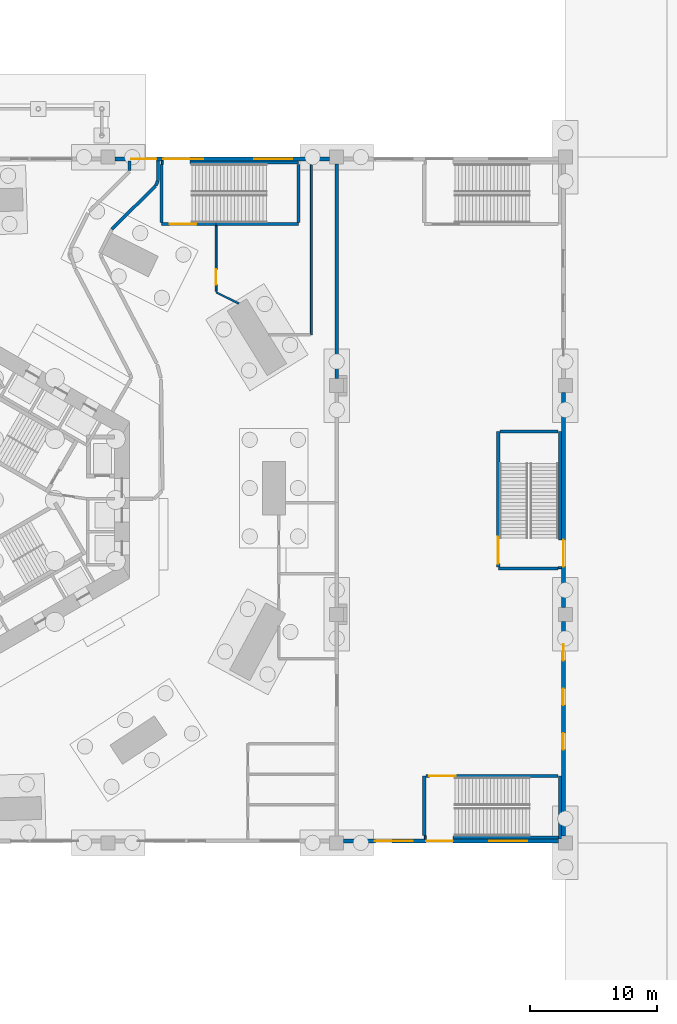
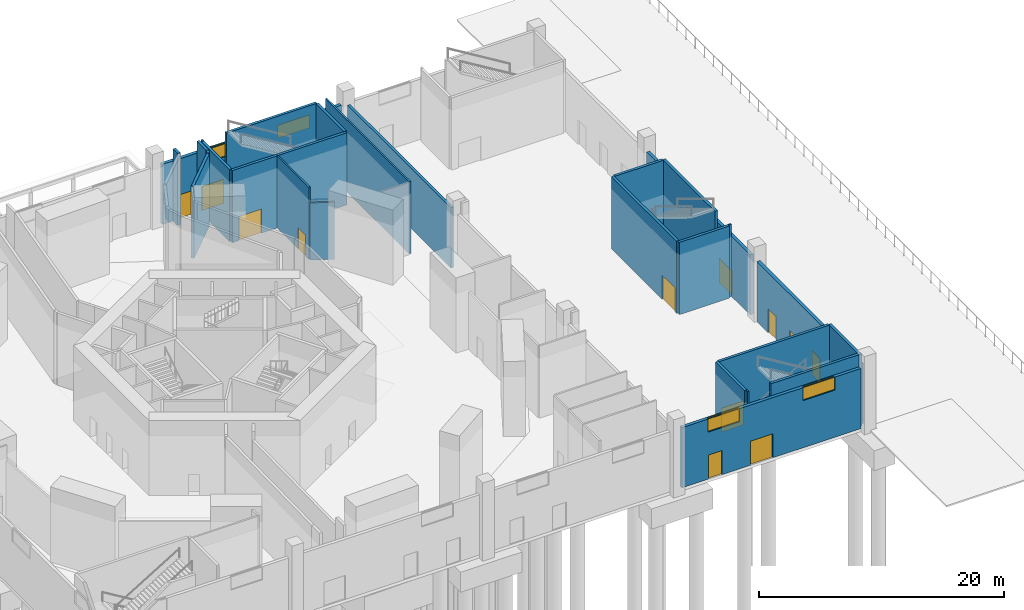
# One storey, part 10 of 16: 28 walls, 12 doors, 4 windows, 16 openings.
"""IFC4 building model written with IfcOpenShell, lengths in metres."""

from ifc_helpers import new_model, si_unit, direction, frame, frame_2d, origin, place, context, subcontext, project, spatial, rectangle, extrude, material, layer, layer_set, type_object, element, fill, save


model = new_model("IFC4")

# Units and contexts
model_context = context("Model", 3, precision=1e-05, world=origin(), true_north=direction((0.0, 1.0)))
body_context = subcontext(model_context, "Body", "Model", "MODEL_VIEW")
ifc_project = project(units=[si_unit("LENGTHUNIT", "METRE"), si_unit("AREAUNIT", "SQUARE_METRE"), si_unit("VOLUMEUNIT", "CUBIC_METRE"), si_unit("PLANEANGLEUNIT", "RADIAN"), si_unit("MASSUNIT", "GRAM", prefix="KILO")], contexts=[model_context])

# Site, building, storey
site_placement = place(None, origin())
site = spatial("IfcSite", under=ifc_project, at=site_placement, CompositionType="ELEMENT")
building_placement = place(site_placement, origin())
building = spatial("IfcBuilding", under=site, at=building_placement, Name="Vanh Sen Convention Tower", CompositionType="ELEMENT")
storey_placement = place(building_placement, origin())
storey = spatial("IfcBuildingStorey", under=building, at=storey_placement, Name="L00", CompositionType="ELEMENT", Elevation=0.0)

# Walls
ifc_material_1 = material(Name="Concrete C40/50", Category="concrete")
ifc_layer_1 = layer(ifc_material_1, 0.25)
ifc_layer_set_1 = layer_set([ifc_layer_1], Name="Concrete C40/50")
wall_type_1 = type_object("IfcWallType", Name="Concrete wall 250 EI 180", PredefinedType="SOLIDWALL", material=ifc_layer_set_1)
wall_1_placement = place(storey_placement, frame((27.0, 9.550048828125, 0.0), z_axis=(0.0, 0.0, 1.0), x_axis=(0.0, 1.0, 0.0)))
element("IfcWall", 1, at=wall_1_placement, inside=storey, type_object=wall_type_1, Name="Fire-resisting wall L00-053", PredefinedType="SOLIDWALL", context=body_context, shape_type="SweptSolid", body=[
    extrude(rectangle(XDim=16.89990234375, YDim=0.25, at=frame_2d((8.449951171875, 0.0))), origin(), (0.0, 0.0, 1.0), 6.0),
])
ifc_layer_2 = layer(ifc_material_1, 0.25)
ifc_layer_set_2 = layer_set([ifc_layer_2], Name="Concrete C40/50")
wall_type_2 = type_object("IfcWallType", Name="Concrete wall 250 REI 180", PredefinedType="SOLIDWALL", material=ifc_layer_set_2)
wall_2_placement = place(storey_placement, frame((33.89990234375, -26.43994140625, 0.0), z_axis=(0.0, 0.0, 1.0), x_axis=(0.0, 1.0, 0.0)))
element("IfcWall", 2, at=wall_2_placement, inside=storey, type_object=wall_type_2, Name="Fire-resisting wall L00-004", PredefinedType="SOLIDWALL", context=body_context, shape_type="SweptSolid", body=[
    extrude(rectangle(XDim=4.71484375, YDim=0.25, at=frame_2d((2.357421875, 0.0))), origin(), (0.0, 0.0, 1.0), 7.199951171875),
])

# Wall, opening, door
wall_3_placement = place(storey_placement, frame((34.0400390625, -21.72509765625, 0.0), z_axis=(0.0, 0.0, 1.0), x_axis=(1.0, 0.0, 0.0)))
wall_3 = element("IfcWall", 3, at=wall_3_placement, inside=storey, type_object=wall_type_2, Name="Fire-resisting wall L00-014", PredefinedType="SOLIDWALL", context=body_context, shape_type="SweptSolid", body=[
    extrude(rectangle(XDim=10.39990234375, YDim=0.25, at=frame_2d((5.199951171875, 0.0))), origin(), (0.0, 0.0, 1.0), 7.199951171875),
])
opening_1_placement = place(wall_3_placement, frame((0.25, 0.0, 0.0)))
opening_1 = element("IfcOpeningElement", 4, at=opening_1_placement, cuts=wall_3, Name="Opening D00104", PredefinedType="OPENING", context=body_context, shape_type="SweptSolid", body=[
    extrude(rectangle(XDim=2.10009765625, YDim=2.39990234375, at=frame_2d((1.050048828125, 1.199951171875))), frame((0.0, 0.135009765625, 0.0), z_axis=(0.0, -1.0, 0.0), x_axis=(1.0, 0.0, 0.0)), (0.0, 0.0, 1.0), 0.27001953125),
])
ifc_material_2 = material(Name="Steel S355", Category="steel")
door_type_1 = type_object("IfcDoorType", Name="Stair door 2100 EI 60", OperationType="DOUBLE_DOOR_SINGLE_SWING", PredefinedType="DOOR", material=ifc_material_2)
door_1_placement = place(opening_1_placement, frame((2.10009765625, 0.0, 0.0), z_axis=(0.0, 0.0, 1.0), x_axis=(-1.0, 0.0, 0.0)))
door_1 = element("IfcDoor", 5, at=door_1_placement, inside=storey, type_object=door_type_1, Name="Stair door D00104", OperationType="DOUBLE_DOOR_SINGLE_SWING", OverallHeight=2.39990234375, OverallWidth=2.10009765625, PredefinedType="DOOR", context=body_context, shape_type="SweptSolid", body=[
    extrude(rectangle(XDim=2.10009765625, YDim=2.39990234375, at=frame_2d((1.050048828125, 1.199951171875))), frame((0.0, 0.02490234375, 0.0), z_axis=(0.0, -1.0, 0.0), x_axis=(1.0, 0.0, 0.0)), (0.0, 0.0, 1.0), 0.050048828125),
])
fill(opening_1, door_1)

# Wall
wall_4_placement = place(storey_placement, frame((44.43994140625, -5.39990234375, 0.0), z_axis=(0.0, 0.0, 1.0), x_axis=(-1.0, 0.0, 0.0)))
element("IfcWall", 6, at=wall_4_placement, inside=storey, type_object=wall_type_2, Name="Fire-resisting wall L00-037", PredefinedType="SOLIDWALL", context=body_context, shape_type="SweptSolid", body=[
    extrude(rectangle(XDim=4.71484375, YDim=0.25, at=frame_2d((2.357421875, 0.0))), origin(), (0.0, 0.0, 1.0), 7.199951171875),
])

# Wall, opening, door
wall_5_placement = place(storey_placement, frame((39.72509765625, -5.260009765625, 0.0), z_axis=(0.0, 0.0, 1.0), x_axis=(0.0, 1.0, 0.0)))
wall_5 = element("IfcWall", 7, at=wall_5_placement, inside=storey, type_object=wall_type_2, Name="Fire-resisting wall L00-038", PredefinedType="SOLIDWALL", context=body_context, shape_type="SweptSolid", body=[
    extrude(rectangle(XDim=10.659912109375, YDim=0.25, at=frame_2d((5.330078125, 0.0))), origin(), (0.0, 0.0, 1.0), 7.199951171875),
])
opening_2_placement = place(wall_5_placement, frame((0.25, 0.0, 0.0)))
opening_2 = element("IfcOpeningElement", 8, at=opening_2_placement, cuts=wall_5, Name="Opening D00110", PredefinedType="OPENING", context=body_context, shape_type="SweptSolid", body=[
    extrude(rectangle(XDim=2.10009765625, YDim=2.39990234375, at=frame_2d((1.050048828125, 1.199951171875))), frame((0.0, 0.135009765625, 0.0), z_axis=(0.0, -1.0, 0.0), x_axis=(1.0, 0.0, 0.0)), (0.0, 0.0, 1.0), 0.27001953125),
])
door_2_placement = place(opening_2_placement, frame((2.10009765625, 0.0, 0.0), z_axis=(0.0, 0.0, 1.0), x_axis=(-1.0, 0.0, 0.0)))
door_2 = element("IfcDoor", 9, at=door_2_placement, inside=storey, type_object=door_type_1, Name="Stair door D00110", OperationType="DOUBLE_DOOR_SINGLE_SWING", OverallHeight=2.39990234375, OverallWidth=2.10009765625, PredefinedType="DOOR", context=body_context, shape_type="SweptSolid", body=[
    extrude(rectangle(XDim=2.10009765625, YDim=2.39990234375, at=frame_2d((1.050048828125, 1.199951171875))), frame((0.0, 0.02490234375, 0.0), z_axis=(0.0, -1.0, 0.0), x_axis=(1.0, 0.0, 0.0)), (0.0, 0.0, 1.0), 0.050048828125),
])
fill(opening_2, door_2)

# Wall
wall_6_placement = place(storey_placement, frame((39.864990234375, 5.39990234375, 0.0), z_axis=(0.0, 0.0, 1.0), x_axis=(1.0, 0.0, 0.0)))
element("IfcWall", 10, at=wall_6_placement, inside=storey, type_object=wall_type_2, Name="Fire-resisting wall L00-046", PredefinedType="SOLIDWALL", context=body_context, shape_type="SweptSolid", body=[
    extrude(rectangle(XDim=4.574951171875, YDim=0.25, at=frame_2d((2.28759765625, 0.0))), origin(), (0.0, 0.0, 1.0), 7.199951171875),
])

# Wall, opening, door
wall_7_placement = place(storey_placement, frame((17.5, 21.72509765625, 0.0), z_axis=(0.0, 0.0, 1.0), x_axis=(-1.0, 0.0, 0.0)))
wall_7 = element("IfcWall", 11, at=wall_7_placement, inside=storey, type_object=wall_type_2, Name="Fire-resisting wall L00-073", PredefinedType="SOLIDWALL", context=body_context, shape_type="SweptSolid", body=[
    extrude(rectangle(XDim=4.300048828125, YDim=0.25, at=frame_2d((2.14990234375, 0.0))), origin(), (0.0, 0.0, 1.0), 7.199951171875),
])
opening_3_placement = place(wall_7_placement, frame((1.550048828125, 0.0, 0.0)))
opening_3 = element("IfcOpeningElement", 12, at=opening_3_placement, cuts=wall_7, Name="Opening D00114", PredefinedType="OPENING", context=body_context, shape_type="SweptSolid", body=[
    extrude(rectangle(XDim=2.10009765625, YDim=2.39990234375, at=frame_2d((1.050048828125, 1.199951171875))), frame((0.0, 0.135009765625, 0.0), z_axis=(0.0, -1.0, 0.0), x_axis=(1.0, 0.0, 0.0)), (0.0, 0.0, 1.0), 0.27001953125),
])
door_3_placement = place(opening_3_placement, frame((2.10009765625, 0.0, 0.0), z_axis=(0.0, 0.0, 1.0), x_axis=(-1.0, 0.0, 0.0)))
door_3 = element("IfcDoor", 13, at=door_3_placement, inside=storey, type_object=door_type_1, Name="Stair door D00114", OperationType="DOUBLE_DOOR_SINGLE_SWING", OverallHeight=2.39990234375, OverallWidth=2.10009765625, PredefinedType="DOOR", context=body_context, shape_type="SweptSolid", body=[
    extrude(rectangle(XDim=2.10009765625, YDim=2.39990234375, at=frame_2d((1.050048828125, 1.199951171875))), frame((0.0, 0.02490234375, 0.0), z_axis=(0.0, -1.0, 0.0), x_axis=(1.0, 0.0, 0.0)), (0.0, 0.0, 1.0), 0.050048828125),
])
fill(opening_3, door_3)

# Walls
wall_8_placement = place(storey_placement, frame((24.0, 21.72509765625, 0.0), z_axis=(0.0, 0.0, 1.0), x_axis=(-1.0, 0.0, 0.0)))
element("IfcWall", 14, at=wall_8_placement, inside=storey, type_object=wall_type_2, Name="Fire-resisting wall L00-074", PredefinedType="SOLIDWALL", context=body_context, shape_type="SweptSolid", body=[
    extrude(rectangle(XDim=6.5, YDim=0.25, at=frame_2d((3.25, 0.0))), origin(), (0.0, 0.0, 1.0), 7.199951171875),
])
wall_9_placement = place(storey_placement, frame((13.199951171875, 21.864990234375, 0.0), z_axis=(0.0, 0.0, 1.0), x_axis=(0.0, 1.0, 0.0)))
element("IfcWall", 15, at=wall_9_placement, inside=storey, type_object=wall_type_2, Name="Fire-resisting wall L00-078", PredefinedType="SOLIDWALL", context=body_context, shape_type="SweptSolid", body=[
    extrude(rectangle(XDim=4.574951171875, YDim=0.25, at=frame_2d((2.28759765625, 0.0))), origin(), (0.0, 0.0, 1.0), 7.199951171875),
])
wall_10_placement = place(storey_placement, frame((12.72412109375, 24.732421875, 0.0), z_axis=(0.0, 0.0, 1.0), x_axis=(-0.709356161032, -0.70485022296, 0.0)))
element("IfcWall", 16, at=wall_10_placement, inside=storey, type_object=wall_type_2, Name="Fire-resisting wall L00-081", PredefinedType="SOLIDWALL", context=body_context, shape_type="SweptSolid", body=[
    extrude(rectangle(XDim=4.822265625, YDim=0.25, at=frame_2d((2.4111328125, 0.0))), origin(), (0.0, 0.0, 1.0), 7.199951171875),
])
wall_11_placement = place(storey_placement, frame((12.90966796875, 25.138671875, 0.0), z_axis=(0.0, 0.0, 1.0), x_axis=(-0.383895701408, -0.923376461927, 0.0)))
element("IfcWall", 17, at=wall_11_placement, inside=storey, type_object=wall_type_2, Name="Fire-resisting wall L00-082", PredefinedType="SOLIDWALL", context=body_context, shape_type="SweptSolid", body=[
    extrude(rectangle(XDim=0.40966796875, YDim=0.25, at=frame_2d((0.204833984375, 0.0))), origin(), (0.0, 0.0, 1.0), 7.199951171875),
])
wall_12_placement = place(storey_placement, frame((10.675048828125, 25.947998046875, 0.0), z_axis=(0.0, 0.0, 1.0), x_axis=(0.0, 1.0, 0.0)))
element("IfcWall", 18, at=wall_12_placement, inside=storey, type_object=wall_type_2, Name="Fire-resisting wall L00-085", PredefinedType="SOLIDWALL", context=body_context, shape_type="SweptSolid", body=[
    extrude(rectangle(XDim=0.751953125, YDim=0.25, at=frame_2d((0.3759765625, 0.0))), origin(), (0.0, 0.0, 1.0), 7.199951171875),
])
wall_13_placement = place(storey_placement, frame((24.0, 26.43994140625, 0.0), z_axis=(0.0, 0.0, 1.0), x_axis=(0.0, -1.0, 0.0)))
element("IfcWall", 19, at=wall_13_placement, inside=storey, type_object=wall_type_2, Name="Fire-resisting wall L00-087", PredefinedType="SOLIDWALL", context=body_context, shape_type="SweptSolid", body=[
    extrude(rectangle(XDim=4.574951171875, YDim=0.25, at=frame_2d((2.28759765625, 0.0))), origin(), (0.0, 0.0, 1.0), 7.199951171875),
])
wall_14_placement = place(storey_placement, frame((12.925048828125, 26.699951171875, 0.0), z_axis=(0.0, 0.0, 1.0), x_axis=(0.0, -1.0, 0.0)))
element("IfcWall", 20, at=wall_14_placement, inside=storey, type_object=wall_type_2, Name="Fire-resisting wall L00-089", PredefinedType="SOLIDWALL", context=body_context, shape_type="SweptSolid", body=[
    extrude(rectangle(XDim=1.5244140625, YDim=0.25, at=frame_2d((0.76220703125, 0.0))), origin(), (0.0, 0.0, 1.0), 7.199951171875),
])
wall_15_placement = place(storey_placement, frame((44.574951171875, -21.72509765625, 0.0), z_axis=(0.0, 0.0, 1.0), x_axis=(0.0, -1.0, 0.0)))
element("IfcWall", 21, at=wall_15_placement, inside=storey, type_object=wall_type_2, Name="Stair enclosure wall PS2 L00", PredefinedType="SOLIDWALL", context=body_context, shape_type="SweptSolid", body=[
    extrude(rectangle(XDim=4.974853515625, YDim=0.25, at=frame_2d((2.4873046875, 0.0))), origin(), (0.0, 0.0, 1.0), 7.199951171875),
])
wall_16_placement = place(storey_placement, frame((44.449951171875, -26.574951171875, 0.0), z_axis=(0.0, 0.0, 1.0), x_axis=(-1.0, 0.0, 0.0)))
element("IfcWall", 22, at=wall_16_placement, inside=storey, type_object=wall_type_2, Name="Stair enclosure wall PS2 L00", PredefinedType="SOLIDWALL", context=body_context, shape_type="SweptSolid", body=[
    extrude(rectangle(XDim=8.300048828125, YDim=0.25, at=frame_2d((4.14990234375, 0.0))), origin(), (0.0, 0.0, 1.0), 7.199951171875),
])
wall_17_placement = place(storey_placement, frame((34.050048828125, -26.574951171875, 0.0), z_axis=(0.0, 0.0, 1.0), x_axis=(-1.0, 0.0, 0.0)))
element("IfcWall", 23, at=wall_17_placement, inside=storey, type_object=wall_type_2, Name="Stair enclosure wall PS2 L00", PredefinedType="SOLIDWALL", context=body_context, shape_type="SweptSolid", body=[
    extrude(rectangle(XDim=0.150146484375, YDim=0.25, at=frame_2d((0.0751953125, 0.0))), origin(), (0.0, 0.0, 1.0), 7.199951171875),
])
wall_18_placement = place(storey_placement, frame((44.574951171875, 5.39990234375, 0.0), z_axis=(0.0, 0.0, 1.0), x_axis=(0.0, -1.0, 0.0)))
element("IfcWall", 24, at=wall_18_placement, inside=storey, type_object=wall_type_2, Name="Stair enclosure wall PS3 L00", PredefinedType="SOLIDWALL", context=body_context, shape_type="SweptSolid", body=[
    extrude(rectangle(XDim=8.5498046875, YDim=0.25, at=frame_2d((4.27490234375, 0.0))), origin(), (0.0, 0.0, 1.0), 7.199951171875),
])
wall_19_placement = place(storey_placement, frame((44.574951171875, -5.25, 0.0), z_axis=(0.0, 0.0, 1.0), x_axis=(0.0, -1.0, 0.0)))
element("IfcWall", 25, at=wall_19_placement, inside=storey, type_object=wall_type_2, Name="Stair enclosure wall PS3 L00", PredefinedType="SOLIDWALL", context=body_context, shape_type="SweptSolid", body=[
    extrude(rectangle(XDim=0.14990234375, YDim=0.25, at=frame_2d((0.074951171875, 0.0))), origin(), (0.0, 0.0, 1.0), 7.199951171875),
])
wall_20_placement = place(storey_placement, frame((24.0, 26.574951171875, 0.0), z_axis=(0.0, 0.0, 1.0), x_axis=(-1.0, 0.0, 0.0)))
element("IfcWall", 26, at=wall_20_placement, inside=storey, type_object=wall_type_2, Name="Stair enclosure wall PS4 L00", PredefinedType="SOLIDWALL", context=body_context, shape_type="SweptSolid", body=[
    extrude(rectangle(XDim=8.550048828125, YDim=0.25, at=frame_2d((4.27490234375, 0.0))), origin(), (0.0, 0.0, 1.0), 7.199951171875),
])
wall_21_placement = place(storey_placement, frame((13.35009765625, 26.574951171875, 0.0), z_axis=(0.0, 0.0, 1.0), x_axis=(-1.0, 0.0, 0.0)))
element("IfcWall", 27, at=wall_21_placement, inside=storey, type_object=wall_type_2, Name="Stair enclosure wall PS4 L00", PredefinedType="SOLIDWALL", context=body_context, shape_type="SweptSolid", body=[
    extrude(rectangle(XDim=0.150146484375, YDim=0.25, at=frame_2d((0.0751953125, 0.0))), origin(), (0.0, 0.0, 1.0), 7.199951171875),
])

# Wall, openings, doors
ifc_material_3 = material(Name="Aluminium-framed structural glazing with clear glass", Category="aluminium")
ifc_layer_3 = layer(ifc_material_3, 0.300048828125)
ifc_layer_set_3 = layer_set([ifc_layer_3], Name="Aluminium-framed structural glazing with clear glass")
wall_type_3 = type_object("IfcWallType", Name="Entrance glazed wall 300", PredefinedType="STANDARD", material=ifc_layer_set_3)
wall_22_placement = place(storey_placement, frame((44.85009765625, -26.449951171875, 0.0), z_axis=(0.0, 0.0, 1.0), x_axis=(0.0, 1.0, 0.0)))
wall_22 = element("IfcWall", 28, at=wall_22_placement, inside=storey, type_object=wall_type_3, Name="Podium wall E1 L00", PredefinedType="STANDARD", context=body_context, shape_type="SweptSolid", body=[
    extrude(rectangle(XDim=16.89990234375, YDim=0.300048828125, at=frame_2d((8.449951171875, 0.0))), origin(), (0.0, 0.0, 1.0), 6.0),
])
opening_4_placement = place(wall_22_placement, frame((13.800048828125, 0.0, 0.0)))
opening_4 = element("IfcOpeningElement", 29, at=opening_4_placement, cuts=wall_22, Name="Opening EX04", PredefinedType="OPENING", context=body_context, shape_type="SweptSolid", body=[
    extrude(rectangle(XDim=1.300048828125, YDim=2.39990234375, at=frame_2d((0.64990234375, 1.199951171875))), frame((0.0, 0.159912109375, 0.0), z_axis=(0.0, -1.0, 0.0), x_axis=(1.0, 0.0, 0.0)), (0.0, 0.0, 1.0), 0.320068359375),
])
opening_5_placement = place(wall_22_placement, frame((10.300048828125, 0.0, 0.0)))
opening_5 = element("IfcOpeningElement", 30, at=opening_5_placement, cuts=wall_22, Name="Opening EX05", PredefinedType="OPENING", context=body_context, shape_type="SweptSolid", body=[
    extrude(rectangle(XDim=1.300048828125, YDim=2.39990234375, at=frame_2d((0.64990234375, 1.199951171875))), frame((0.0, 0.159912109375, 0.0), z_axis=(0.0, -1.0, 0.0), x_axis=(1.0, 0.0, 0.0)), (0.0, 0.0, 1.0), 0.320068359375),
])
opening_6_placement = place(wall_22_placement, frame((6.800048828125, 0.0, 0.0)))
opening_6 = element("IfcOpeningElement", 31, at=opening_6_placement, cuts=wall_22, Name="Opening EX06", PredefinedType="OPENING", context=body_context, shape_type="SweptSolid", body=[
    extrude(rectangle(XDim=1.300048828125, YDim=2.39990234375, at=frame_2d((0.64990234375, 1.199951171875))), frame((0.0, 0.159912109375, 0.0), z_axis=(0.0, -1.0, 0.0), x_axis=(1.0, 0.0, 0.0)), (0.0, 0.0, 1.0), 0.320068359375),
])
ifc_material_4 = material(Name="Aluminium and glass entrance door", Category="aluminium")
door_type_2 = type_object("IfcDoorType", Name="Entrance door 1300", OperationType="SINGLE_SWING_LEFT", PredefinedType="DOOR", material=ifc_material_4)
door_4_placement = place(opening_4_placement, frame((1.300048828125, 0.0, 0.0), z_axis=(0.0, 0.0, 1.0), x_axis=(-1.0, 0.0, 0.0)))
door_4 = element("IfcDoor", 32, at=door_4_placement, inside=storey, type_object=door_type_2, Name="Entrance door EX04", OperationType="SINGLE_SWING_RIGHT", OverallHeight=2.39990234375, OverallWidth=1.300048828125, PredefinedType="DOOR", context=body_context, shape_type="SweptSolid", body=[
    extrude(rectangle(XDim=1.300048828125, YDim=2.39990234375, at=frame_2d((0.64990234375, 1.199951171875))), frame((0.0, 0.02490234375, 0.0), z_axis=(0.0, -1.0, 0.0), x_axis=(1.0, 0.0, 0.0)), (0.0, 0.0, 1.0), 0.050048828125),
])
fill(opening_4, door_4)
door_5_placement = place(opening_5_placement, frame((1.300048828125, 0.0, 0.0), z_axis=(0.0, 0.0, 1.0), x_axis=(-1.0, 0.0, 0.0)))
door_5 = element("IfcDoor", 33, at=door_5_placement, inside=storey, type_object=door_type_2, Name="Entrance door EX05", OperationType="SINGLE_SWING_RIGHT", OverallHeight=2.39990234375, OverallWidth=1.300048828125, PredefinedType="DOOR", context=body_context, shape_type="SweptSolid", body=[
    extrude(rectangle(XDim=1.300048828125, YDim=2.39990234375, at=frame_2d((0.64990234375, 1.199951171875))), frame((0.0, 0.02490234375, 0.0), z_axis=(0.0, -1.0, 0.0), x_axis=(1.0, 0.0, 0.0)), (0.0, 0.0, 1.0), 0.050048828125),
])
fill(opening_5, door_5)
door_6_placement = place(opening_6_placement, frame((1.300048828125, 0.0, 0.0), z_axis=(0.0, 0.0, 1.0), x_axis=(-1.0, 0.0, 0.0)))
door_6 = element("IfcDoor", 34, at=door_6_placement, inside=storey, type_object=door_type_2, Name="Entrance door EX06", OperationType="SINGLE_SWING_RIGHT", OverallHeight=2.39990234375, OverallWidth=1.300048828125, PredefinedType="DOOR", context=body_context, shape_type="SweptSolid", body=[
    extrude(rectangle(XDim=1.300048828125, YDim=2.39990234375, at=frame_2d((0.64990234375, 1.199951171875))), frame((0.0, 0.02490234375, 0.0), z_axis=(0.0, -1.0, 0.0), x_axis=(1.0, 0.0, 0.0)), (0.0, 0.0, 1.0), 0.050048828125),
])
fill(opening_6, door_6)

# Wall, opening, door
wall_23_placement = place(storey_placement, frame((44.85009765625, -8.449951171875, 0.0), z_axis=(0.0, 0.0, 1.0), x_axis=(0.0, 1.0, 0.0)))
wall_23 = element("IfcWall", 35, at=wall_23_placement, inside=storey, type_object=wall_type_3, Name="Podium wall E2 L00", PredefinedType="STANDARD", context=body_context, shape_type="SweptSolid", body=[
    extrude(rectangle(XDim=16.89990234375, YDim=0.300048828125, at=frame_2d((8.449951171875, 0.0))), origin(), (0.0, 0.0, 1.0), 6.0),
])
opening_7_placement = place(wall_23_placement, frame((3.199951171875, 0.0, 0.0)))
opening_7 = element("IfcOpeningElement", 36, at=opening_7_placement, cuts=wall_23, Name="Opening PD3", PredefinedType="OPENING", context=body_context, shape_type="SweptSolid", body=[
    extrude(rectangle(XDim=2.10009765625, YDim=2.39990234375, at=frame_2d((1.050048828125, 1.199951171875))), frame((0.0, 0.159912109375, 0.0), z_axis=(0.0, -1.0, 0.0), x_axis=(1.0, 0.0, 0.0)), (0.0, 0.0, 1.0), 0.320068359375),
])
door_type_3 = type_object("IfcDoorType", Name="Entrance door 2100", OperationType="DOUBLE_DOOR_SINGLE_SWING", PredefinedType="DOOR", material=ifc_material_4)
door_7_placement = place(opening_7_placement, frame((2.10009765625, 0.0, 0.0), z_axis=(0.0, 0.0, 1.0), x_axis=(-1.0, 0.0, 0.0)))
door_7 = element("IfcDoor", 37, at=door_7_placement, inside=storey, type_object=door_type_3, Name="Entrance door PD3", OperationType="DOUBLE_DOOR_SINGLE_SWING", OverallHeight=2.39990234375, OverallWidth=2.10009765625, PredefinedType="DOOR", context=body_context, shape_type="SweptSolid", body=[
    extrude(rectangle(XDim=2.10009765625, YDim=2.39990234375, at=frame_2d((1.050048828125, 1.199951171875))), frame((0.0, 0.02490234375, 0.0), z_axis=(0.0, -1.0, 0.0), x_axis=(1.0, 0.0, 0.0)), (0.0, 0.0, 1.0), 0.050048828125),
])
fill(opening_7, door_7)

# Wall
ifc_material_5 = material(Name="Gypsum board on steel studs", Category="steel")
ifc_layer_4 = layer(ifc_material_5, 0.14990234375)
ifc_layer_set_4 = layer_set([ifc_layer_4], Name="Gypsum board on steel studs")
wall_type_4 = type_object("IfcWallType", Name="Partition 150 EI 60", PredefinedType="PARTITIONING", material=ifc_layer_set_4)
wall_24_placement = place(storey_placement, frame((19.292724609375, 15.466796875, 0.0), z_axis=(0.0, 0.0, 1.0), x_axis=(-0.894938486027, 0.446189540698, 0.0)))
element("IfcWall", 38, at=wall_24_placement, inside=storey, type_object=wall_type_4, Name="Partition L00-063", PredefinedType="PARTITIONING", context=body_context, shape_type="SweptSolid", body=[
    extrude(rectangle(XDim=2.003173828125, YDim=0.14990234375, at=frame_2d((1.00146484375, 0.0))), origin(), (0.0, 0.0, 1.0), 5.699951171875),
])

# Wall, opening, door
wall_25_placement = place(storey_placement, frame((17.5, 16.42041015625, 0.0), z_axis=(0.0, 0.0, 1.0), x_axis=(0.0, 1.0, 0.0)))
wall_25 = element("IfcWall", 39, at=wall_25_placement, inside=storey, type_object=wall_type_4, Name="Partition L00-064", PredefinedType="PARTITIONING", context=body_context, shape_type="SweptSolid", body=[
    extrude(rectangle(XDim=5.16455078125, YDim=0.14990234375, at=frame_2d((2.582275390625, 0.0))), origin(), (0.0, 0.0, 1.0), 7.199951171875),
])
opening_8_placement = place(wall_25_placement, frame((0.550048828125, 0.0, 0.0)))
opening_8 = element("IfcOpeningElement", 40, at=opening_8_placement, cuts=wall_25, Name="Opening D00112", PredefinedType="OPENING", context=body_context, shape_type="SweptSolid", body=[
    extrude(rectangle(XDim=1.199951171875, YDim=2.10009765625, at=frame_2d((0.60009765625, 1.050048828125))), frame((0.0, 0.0849609375, 0.0), z_axis=(0.0, -1.0, 0.0), x_axis=(1.0, 0.0, 0.0)), (0.0, 0.0, 1.0), 0.169921875),
])
ifc_material_6 = material(Name="Timber door in steel frame", Category="steel")
door_type_4 = type_object("IfcDoorType", Name="Room door 1200 EI 30", OperationType="SINGLE_SWING_LEFT", PredefinedType="DOOR", material=ifc_material_6)
door_8_placement = place(opening_8_placement, origin())
door_8 = element("IfcDoor", 41, at=door_8_placement, inside=storey, type_object=door_type_4, Name="Room door D00112", OperationType="SINGLE_SWING_LEFT", OverallHeight=2.10009765625, OverallWidth=1.199951171875, PredefinedType="DOOR", context=body_context, shape_type="SweptSolid", body=[
    extrude(rectangle(XDim=1.199951171875, YDim=2.10009765625, at=frame_2d((0.60009765625, 1.050048828125))), frame((0.0, 0.02490234375, 0.0), z_axis=(0.0, -1.0, 0.0), x_axis=(1.0, 0.0, 0.0)), (0.0, 0.0, 1.0), 0.050048828125),
])
fill(opening_8, door_8)

# Wall
wall_26_placement = place(storey_placement, frame((25.0, 26.699951171875, 0.0), z_axis=(0.0, 0.0, 1.0), x_axis=(0.0, -1.0, 0.0)))
element("IfcWall", 42, at=wall_26_placement, inside=storey, type_object=wall_type_4, Name="Partition L00-090", PredefinedType="PARTITIONING", context=body_context, shape_type="SweptSolid", body=[
    extrude(rectangle(XDim=13.699951171875, YDim=0.14990234375, at=frame_2d((6.85009765625, 0.0))), origin(), (0.0, 0.0, 1.0), 7.199951171875),
])

# Wall, openings, doors, windows
ifc_material_7 = material(Name="Concrete C50/60", Category="concrete")
ifc_layer_5 = layer(ifc_material_7, 0.300048828125)
ifc_layer_set_5 = layer_set([ifc_layer_5], Name="Concrete C50/60")
wall_type_5 = type_object("IfcWallType", Name="Podium wall 300", PredefinedType="STANDARD", material=ifc_layer_set_5)
wall_27_placement = place(storey_placement, frame((27.550048828125, -26.85009765625, 0.0), z_axis=(0.0, 0.0, 1.0), x_axis=(1.0, 0.0, 0.0)))
wall_27 = element("IfcWall", 43, at=wall_27_placement, inside=storey, type_object=wall_type_5, Name="Podium wall S4 L00", PredefinedType="STANDARD", context=body_context, shape_type="SweptSolid", body=[
    extrude(rectangle(XDim=16.89990234375, YDim=0.300048828125, at=frame_2d((8.449951171875, 0.0))), origin(), (0.0, 0.0, 1.0), 6.0),
])
opening_9_placement = place(wall_27_placement, frame((2.449951171875, 0.0, 4.699951171875)))
opening_9 = element("IfcOpeningElement", 44, at=opening_9_placement, cuts=wall_27, Name="Opening WP1-S7", PredefinedType="OPENING", context=body_context, shape_type="SweptSolid", body=[
    extrude(rectangle(XDim=3.0, YDim=1.300048828125, at=frame_2d((1.5, 0.64990234375))), frame((0.0, 0.159912109375, 0.0), z_axis=(0.0, -1.0, 0.0), x_axis=(1.0, 0.0, 0.0)), (0.0, 0.0, 1.0), 0.320068359375),
])
opening_10_placement = place(wall_27_placement, frame((11.449951171875, 0.0, 4.699951171875)))
opening_10 = element("IfcOpeningElement", 45, at=opening_10_placement, cuts=wall_27, Name="Opening WP1-S8", PredefinedType="OPENING", context=body_context, shape_type="SweptSolid", body=[
    extrude(rectangle(XDim=3.0, YDim=1.300048828125, at=frame_2d((1.5, 0.64990234375))), frame((0.0, 0.159912109375, 0.0), z_axis=(0.0, -1.0, 0.0), x_axis=(1.0, 0.0, 0.0)), (0.0, 0.0, 1.0), 0.320068359375),
])
opening_11_placement = place(wall_27_placement, frame((2.5, 0.0, 0.0)))
opening_11 = element("IfcOpeningElement", 46, at=opening_11_placement, cuts=wall_27, Name="Opening EX08", PredefinedType="OPENING", context=body_context, shape_type="SweptSolid", body=[
    extrude(rectangle(XDim=1.300048828125, YDim=2.39990234375, at=frame_2d((0.64990234375, 1.199951171875))), frame((0.0, 0.159912109375, 0.0), z_axis=(0.0, -1.0, 0.0), x_axis=(1.0, 0.0, 0.0)), (0.0, 0.0, 1.0), 0.320068359375),
])
opening_12_placement = place(wall_27_placement, frame((6.5, 0.0, 0.0)))
opening_12 = element("IfcOpeningElement", 47, at=opening_12_placement, cuts=wall_27, Name="Opening PD2", PredefinedType="OPENING", context=body_context, shape_type="SweptSolid", body=[
    extrude(rectangle(XDim=2.10009765625, YDim=2.39990234375, at=frame_2d((1.050048828125, 1.199951171875))), frame((0.0, 0.159912109375, 0.0), z_axis=(0.0, -1.0, 0.0), x_axis=(1.0, 0.0, 0.0)), (0.0, 0.0, 1.0), 0.320068359375),
])
door_9_placement = place(opening_11_placement, frame((1.300048828125, 0.0, 0.0), z_axis=(0.0, 0.0, 1.0), x_axis=(-1.0, 0.0, 0.0)))
door_9 = element("IfcDoor", 48, at=door_9_placement, inside=storey, type_object=door_type_2, Name="Entrance door EX08", OperationType="SINGLE_SWING_RIGHT", OverallHeight=2.39990234375, OverallWidth=1.300048828125, PredefinedType="DOOR", context=body_context, shape_type="SweptSolid", body=[
    extrude(rectangle(XDim=1.300048828125, YDim=2.39990234375, at=frame_2d((0.64990234375, 1.199951171875))), frame((0.0, 0.02490234375, 0.0), z_axis=(0.0, -1.0, 0.0), x_axis=(1.0, 0.0, 0.0)), (0.0, 0.0, 1.0), 0.050048828125),
])
fill(opening_11, door_9)
door_10_placement = place(opening_12_placement, frame((2.10009765625, 0.0, 0.0), z_axis=(0.0, 0.0, 1.0), x_axis=(-1.0, 0.0, 0.0)))
door_10 = element("IfcDoor", 49, at=door_10_placement, inside=storey, type_object=door_type_3, Name="Entrance door PD2", OperationType="DOUBLE_DOOR_SINGLE_SWING", OverallHeight=2.39990234375, OverallWidth=2.10009765625, PredefinedType="DOOR", context=body_context, shape_type="SweptSolid", body=[
    extrude(rectangle(XDim=2.10009765625, YDim=2.39990234375, at=frame_2d((1.050048828125, 1.199951171875))), frame((0.0, 0.02490234375, 0.0), z_axis=(0.0, -1.0, 0.0), x_axis=(1.0, 0.0, 0.0)), (0.0, 0.0, 1.0), 0.050048828125),
])
fill(opening_12, door_10)
ifc_material_8 = material(Name="Aluminium frame with clear low-emissivity glass", Category="aluminium")
window_type = type_object("IfcWindowType", Name="Podium window 3000 x 1300", PartitioningType="SINGLE_PANEL", PredefinedType="WINDOW", material=ifc_material_8)
window_1_placement = place(opening_9_placement, origin())
window_1 = element("IfcWindow", 50, at=window_1_placement, inside=storey, type_object=window_type, Name="Window WP1-S7", OverallHeight=1.300048828125, OverallWidth=3.0, PartitioningType="SINGLE_PANEL", PredefinedType="WINDOW", context=body_context, shape_type="SweptSolid", body=[
    extrude(rectangle(XDim=3.0, YDim=1.300048828125, at=frame_2d((1.5, 0.64990234375))), frame((0.0, 0.030029296875, 0.0), z_axis=(0.0, -1.0, 0.0), x_axis=(1.0, 0.0, 0.0)), (0.0, 0.0, 1.0), 0.06005859375),
])
fill(opening_9, window_1)
window_2_placement = place(opening_10_placement, origin())
window_2 = element("IfcWindow", 51, at=window_2_placement, inside=storey, type_object=window_type, Name="Window WP1-S8", OverallHeight=1.300048828125, OverallWidth=3.0, PartitioningType="SINGLE_PANEL", PredefinedType="WINDOW", context=body_context, shape_type="SweptSolid", body=[
    extrude(rectangle(XDim=3.0, YDim=1.300048828125, at=frame_2d((1.5, 0.64990234375))), frame((0.0, 0.030029296875, 0.0), z_axis=(0.0, -1.0, 0.0), x_axis=(1.0, 0.0, 0.0)), (0.0, 0.0, 1.0), 0.06005859375),
])
fill(opening_10, window_2)

wall_28_placement = place(storey_placement, frame((26.449951171875, 26.85009765625, 0.0), z_axis=(0.0, 0.0, 1.0), x_axis=(-1.0, 0.0, 0.0)))
wall_28 = element("IfcWall", 52, at=wall_28_placement, inside=storey, type_object=wall_type_5, Name="Podium wall N2 L00", PredefinedType="STANDARD", context=body_context, shape_type="SweptSolid", body=[
    extrude(rectangle(XDim=16.89990234375, YDim=0.300048828125, at=frame_2d((8.449951171875, 0.0))), origin(), (0.0, 0.0, 1.0), 6.0),
])
opening_13_placement = place(wall_28_placement, frame((2.949951171875, 0.0, 4.699951171875)))
opening_13 = element("IfcOpeningElement", 53, at=opening_13_placement, cuts=wall_28, Name="Opening WP1-N3", PredefinedType="OPENING", context=body_context, shape_type="SweptSolid", body=[
    extrude(rectangle(XDim=3.0, YDim=1.300048828125, at=frame_2d((1.5, 0.64990234375))), frame((0.0, 0.159912109375, 0.0), z_axis=(0.0, -1.0, 0.0), x_axis=(1.0, 0.0, 0.0)), (0.0, 0.0, 1.0), 0.320068359375),
])
opening_14_placement = place(wall_28_placement, frame((9.949951171875, 0.0, 4.699951171875)))
opening_14 = element("IfcOpeningElement", 54, at=opening_14_placement, cuts=wall_28, Name="Opening WP1-N4", PredefinedType="OPENING", context=body_context, shape_type="SweptSolid", body=[
    extrude(rectangle(XDim=3.0, YDim=1.300048828125, at=frame_2d((1.5, 0.64990234375))), frame((0.0, 0.159912109375, 0.0), z_axis=(0.0, -1.0, 0.0), x_axis=(1.0, 0.0, 0.0)), (0.0, 0.0, 1.0), 0.320068359375),
])
opening_15_placement = place(wall_28_placement, frame((11.0, 0.0, 0.0)))
opening_15 = element("IfcOpeningElement", 55, at=opening_15_placement, cuts=wall_28, Name="Opening PD4", PredefinedType="OPENING", context=body_context, shape_type="SweptSolid", body=[
    extrude(rectangle(XDim=2.10009765625, YDim=2.39990234375, at=frame_2d((1.050048828125, 1.199951171875))), frame((0.0, 0.159912109375, 0.0), z_axis=(0.0, -1.0, 0.0), x_axis=(1.0, 0.0, 0.0)), (0.0, 0.0, 1.0), 0.320068359375),
])
opening_16_placement = place(wall_28_placement, frame((13.64990234375, 0.0, 0.0)))
opening_16 = element("IfcOpeningElement", 56, at=opening_16_placement, cuts=wall_28, Name="Opening SD1", PredefinedType="OPENING", context=body_context, shape_type="SweptSolid", body=[
    extrude(rectangle(XDim=2.0, YDim=2.39990234375, at=frame_2d((1.0, 1.199951171875))), frame((0.0, 0.159912109375, 0.0), z_axis=(0.0, -1.0, 0.0), x_axis=(1.0, 0.0, 0.0)), (0.0, 0.0, 1.0), 0.320068359375),
])
door_type_5 = type_object("IfcDoorType", Name="Entrance door 2000", OperationType="DOUBLE_DOOR_SINGLE_SWING", PredefinedType="DOOR", material=ifc_material_4)
door_11_placement = place(opening_16_placement, frame((2.0, 0.0, 0.0), z_axis=(0.0, 0.0, 1.0), x_axis=(-1.0, 0.0, 0.0)))
door_11 = element("IfcDoor", 57, at=door_11_placement, inside=storey, type_object=door_type_5, Name="Entrance door SD1", OperationType="DOUBLE_DOOR_SINGLE_SWING", OverallHeight=2.39990234375, OverallWidth=2.0, PredefinedType="DOOR", context=body_context, shape_type="SweptSolid", body=[
    extrude(rectangle(XDim=2.0, YDim=2.39990234375, at=frame_2d((1.0, 1.199951171875))), frame((0.0, 0.02490234375, 0.0), z_axis=(0.0, -1.0, 0.0), x_axis=(1.0, 0.0, 0.0)), (0.0, 0.0, 1.0), 0.050048828125),
])
fill(opening_16, door_11)
door_12_placement = place(opening_15_placement, frame((2.10009765625, 0.0, 0.0), z_axis=(0.0, 0.0, 1.0), x_axis=(-1.0, 0.0, 0.0)))
door_12 = element("IfcDoor", 58, at=door_12_placement, inside=storey, type_object=door_type_3, Name="Entrance door PD4", OperationType="DOUBLE_DOOR_SINGLE_SWING", OverallHeight=2.39990234375, OverallWidth=2.10009765625, PredefinedType="DOOR", context=body_context, shape_type="SweptSolid", body=[
    extrude(rectangle(XDim=2.10009765625, YDim=2.39990234375, at=frame_2d((1.050048828125, 1.199951171875))), frame((0.0, 0.02490234375, 0.0), z_axis=(0.0, -1.0, 0.0), x_axis=(1.0, 0.0, 0.0)), (0.0, 0.0, 1.0), 0.050048828125),
])
fill(opening_15, door_12)
window_3_placement = place(opening_13_placement, origin())
window_3 = element("IfcWindow", 59, at=window_3_placement, inside=storey, type_object=window_type, Name="Window WP1-N3", OverallHeight=1.300048828125, OverallWidth=3.0, PartitioningType="SINGLE_PANEL", PredefinedType="WINDOW", context=body_context, shape_type="SweptSolid", body=[
    extrude(rectangle(XDim=3.0, YDim=1.300048828125, at=frame_2d((1.5, 0.64990234375))), frame((0.0, 0.030029296875, 0.0), z_axis=(0.0, -1.0, 0.0), x_axis=(1.0, 0.0, 0.0)), (0.0, 0.0, 1.0), 0.06005859375),
])
fill(opening_13, window_3)
window_4_placement = place(opening_14_placement, origin())
window_4 = element("IfcWindow", 60, at=window_4_placement, inside=storey, type_object=window_type, Name="Window WP1-N4", OverallHeight=1.300048828125, OverallWidth=3.0, PartitioningType="SINGLE_PANEL", PredefinedType="WINDOW", context=body_context, shape_type="SweptSolid", body=[
    extrude(rectangle(XDim=3.0, YDim=1.300048828125, at=frame_2d((1.5, 0.64990234375))), frame((0.0, 0.030029296875, 0.0), z_axis=(0.0, -1.0, 0.0), x_axis=(1.0, 0.0, 0.0)), (0.0, 0.0, 1.0), 0.06005859375),
])
fill(opening_14, window_4)

save(model, "model.ifc")
